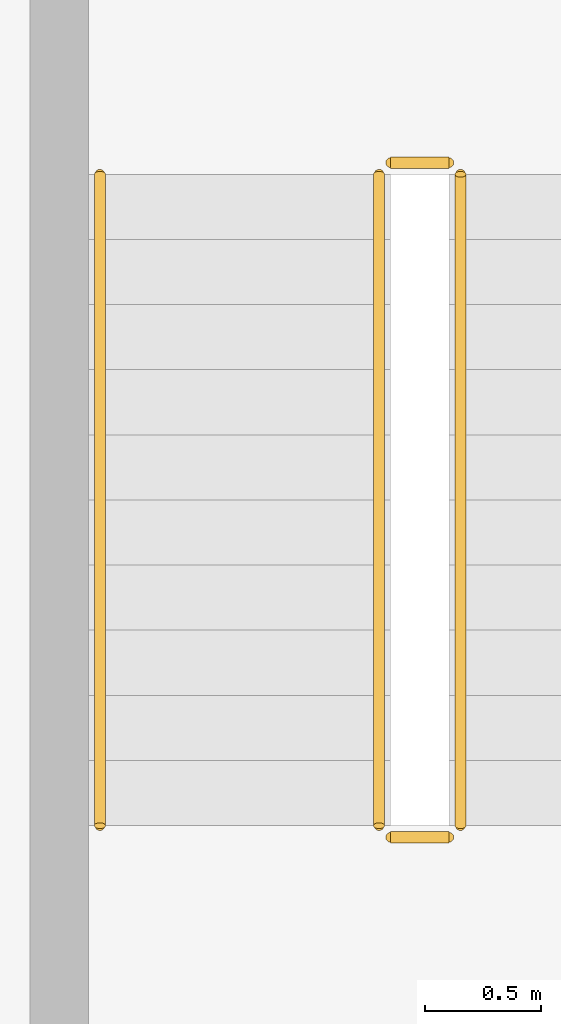
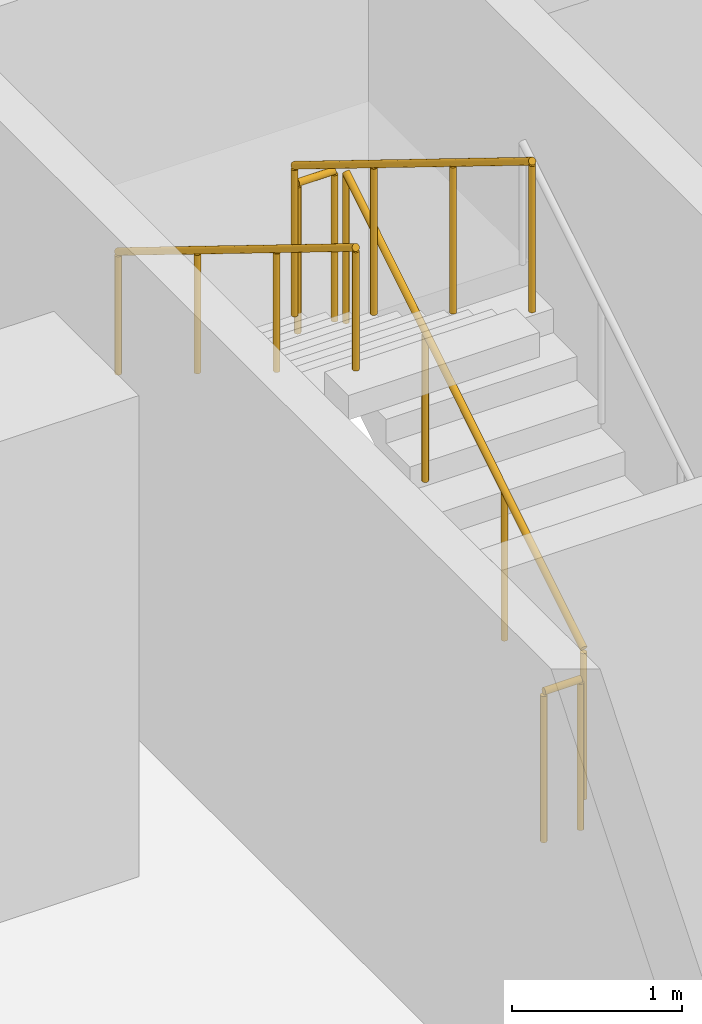
# One storey, part 29 of 32: 5 railings.
"""IFC4 building model written with IfcOpenShell, lengths in metres."""

from ifc_helpers import new_model, si_unit, direction, frame, origin, origin_2d, place, context, subcontext, project, spatial, circle, extrude, material, type_object, element, save


model = new_model("IFC4")

# Units and contexts
model_context = context("Model", 3, precision=1e-05, world=origin(), true_north=direction((0.0, 1.0)))
body_context = subcontext(model_context, "Body", "Model", "MODEL_VIEW")
ifc_project = project(units=[si_unit("LENGTHUNIT", "METRE"), si_unit("AREAUNIT", "SQUARE_METRE"), si_unit("VOLUMEUNIT", "CUBIC_METRE"), si_unit("PLANEANGLEUNIT", "RADIAN"), si_unit("MASSUNIT", "GRAM", prefix="KILO")], contexts=[model_context])

# Site, building, storey
site_placement = place(None, origin())
site = spatial("IfcSite", under=ifc_project, at=site_placement, CompositionType="ELEMENT")
building_placement = place(site_placement, origin())
building = spatial("IfcBuilding", under=site, at=building_placement, Name="Mahtab Terrace Research Tower", CompositionType="ELEMENT")
storey_placement = place(building_placement, frame((0.0, 0.0, 232.39990234375)))
storey = spatial("IfcBuildingStorey", under=building, at=storey_placement, Name="L56", CompositionType="ELEMENT", Elevation=232.39990234375)

# Railings
ifc_material = material(Name="Stainless steel AISI 304", Category="steel")
railing_type_1 = type_object("IfcRailingType", Name="Stair guard 1100", PredefinedType="GUARDRAIL", material=ifc_material)
railing_1_placement = place(storey_placement, frame((21.050048828125, 10.175048828125, 0.1728515625)))
element("IfcRailing", 1, at=railing_1_placement, inside=storey, type_object=railing_type_1, Name="L56 ST3 stair guard 1", PredefinedType="GUARDRAIL", context=body_context, shape_type="SweptSolid", body=[
    extrude(circle(Radius=0.02392578125, at=origin_2d()), frame((0.0, 0.0, 1.076171875), z_axis=(0.0, 0.851089632645, 0.525020415988), x_axis=(-1.0, 0.0, 0.0)), (0.0, 0.0, 1.0), 3.2900390625),
    extrude(circle(Radius=0.02099609375, at=origin_2d()), origin(), (0.0, 0.0, 1.0), 1.052001953125),
    extrude(circle(Radius=0.02099609375, at=origin_2d()), frame((0.0, 0.933349609375, 0.57568359375)), (0.0, 0.0, 1.0), 1.052001953125),
    extrude(circle(Radius=0.02099609375, at=origin_2d()), frame((0.0, 1.86669921875, 1.151611328125)), (0.0, 0.0, 1.0), 1.052001953125),
    extrude(circle(Radius=0.02099609375, at=origin_2d()), frame((0.0, 2.800048828125, 1.727294921875)), (0.0, 0.0, 1.0), 1.052001953125),
])
railing_2_placement = place(storey_placement, frame((21.0, 13.02490234375, 1.900146484375)))
element("IfcRailing", 2, at=railing_2_placement, inside=storey, type_object=railing_type_1, Name="L56 ST3 stair guard 2", PredefinedType="GUARDRAIL", context=body_context, shape_type="SweptSolid", body=[
    extrude(circle(Radius=0.02392578125, at=origin_2d()), frame((0.0, 0.0, 1.076171875), z_axis=(-1.0, 0.0, 0.0), x_axis=(0.0, -1.0, 0.0)), (0.0, 0.0, 1.0), 0.25),
    extrude(circle(Radius=0.02099609375, at=origin_2d()), origin(), (0.0, 0.0, 1.0), 1.052001953125),
    extrude(circle(Radius=0.02099609375, at=origin_2d()), frame((-0.25, 0.0, 0.0)), (0.0, 0.0, 1.0), 1.052001953125),
])
railing_3_placement = place(storey_placement, frame((20.699951171875, 12.97509765625, 2.07275390625)))
element("IfcRailing", 3, at=railing_3_placement, inside=storey, type_object=railing_type_1, Name="L56 ST3 stair guard 3", PredefinedType="GUARDRAIL", context=body_context, shape_type="SweptSolid", body=[
    extrude(circle(Radius=0.02392578125, at=origin_2d()), frame((0.0, 0.0, 1.076171875), z_axis=(0.0, -0.851089632645, 0.525020415988), x_axis=(1.0, 0.0, 0.0)), (0.0, 0.0, 1.0), 3.2900390625),
    extrude(circle(Radius=0.02099609375, at=origin_2d()), origin(), (0.0, 0.0, 1.0), 1.052001953125),
    extrude(circle(Radius=0.02099609375, at=origin_2d()), frame((0.0, -0.933349609375, 0.57568359375)), (0.0, 0.0, 1.0), 1.052001953125),
    extrude(circle(Radius=0.02099609375, at=origin_2d()), frame((0.0, -1.86669921875, 1.151611328125)), (0.0, 0.0, 1.0), 1.052001953125),
    extrude(circle(Radius=0.02099609375, at=origin_2d()), frame((0.0, -2.800048828125, 1.727294921875)), (0.0, 0.0, 1.0), 1.052001953125),
])
railing_4_placement = place(storey_placement, frame((21.0, 10.125, 0.0)))
element("IfcRailing", 4, at=railing_4_placement, inside=storey, type_object=railing_type_1, Name="L56 ST3 stair guard 4", PredefinedType="GUARDRAIL", context=body_context, shape_type="SweptSolid", body=[
    extrude(circle(Radius=0.02392578125, at=origin_2d()), frame((0.0, 0.0, 1.076171875), z_axis=(-1.0, 0.0, 0.0), x_axis=(0.0, -1.0, 0.0)), (0.0, 0.0, 1.0), 0.25),
    extrude(circle(Radius=0.02099609375, at=origin_2d()), origin(), (0.0, 0.0, 1.0), 1.052001953125),
    extrude(circle(Radius=0.02099609375, at=origin_2d()), frame((-0.25, 0.0, 0.0)), (0.0, 0.0, 1.0), 1.052001953125),
])
railing_type_2 = type_object("IfcRailingType", Name="Stair handrail 900", PredefinedType="HANDRAIL", material=ifc_material)
railing_5_placement = place(storey_placement, frame((19.5, 12.97509765625, 2.07275390625)))
element("IfcRailing", 5, at=railing_5_placement, inside=storey, type_object=railing_type_2, Name="L56 ST3 stair handrail 2", PredefinedType="HANDRAIL", context=body_context, shape_type="SweptSolid", body=[
    extrude(circle(Radius=0.02392578125, at=origin_2d()), frame((0.0, 0.0, 0.8759765625), z_axis=(0.0, -0.851089632645, 0.525020415988), x_axis=(1.0, 0.0, 0.0)), (0.0, 0.0, 1.0), 3.2900390625),
    extrude(circle(Radius=0.02099609375, at=origin_2d()), origin(), (0.0, 0.0, 1.0), 0.851806640625),
    extrude(circle(Radius=0.02099609375, at=origin_2d()), frame((0.0, -0.933349609375, 0.57568359375)), (0.0, 0.0, 1.0), 0.851806640625),
    extrude(circle(Radius=0.02099609375, at=origin_2d()), frame((0.0, -1.86669921875, 1.151611328125)), (0.0, 0.0, 1.0), 0.851806640625),
    extrude(circle(Radius=0.02099609375, at=origin_2d()), frame((0.0, -2.800048828125, 1.727294921875)), (0.0, 0.0, 1.0), 0.851806640625),
])

save(model, "model.ifc")
